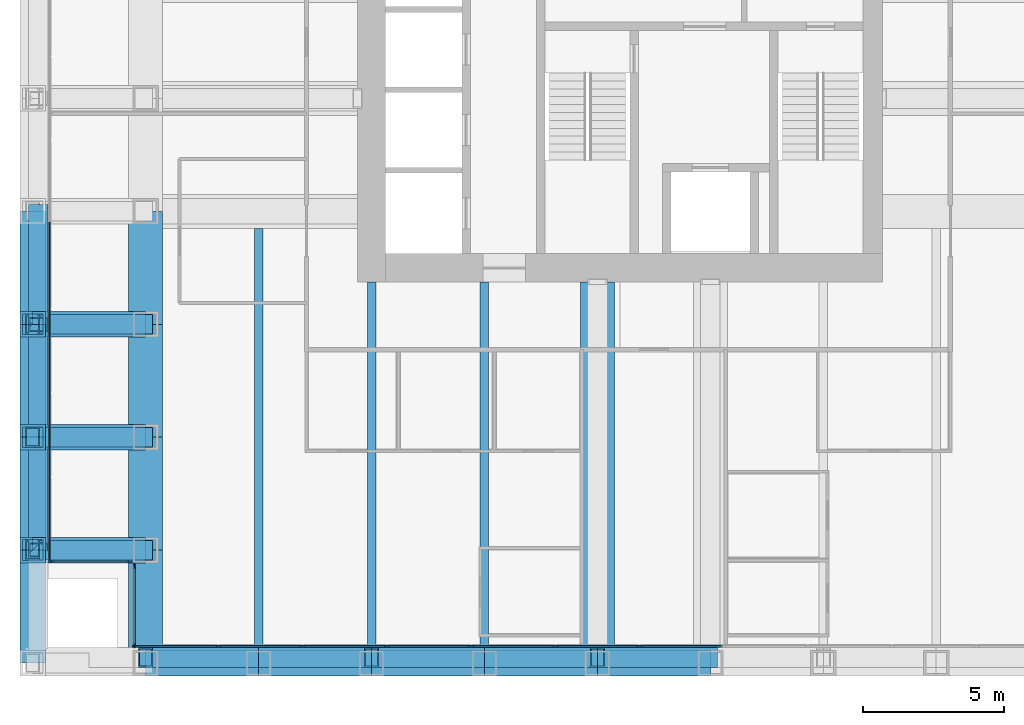
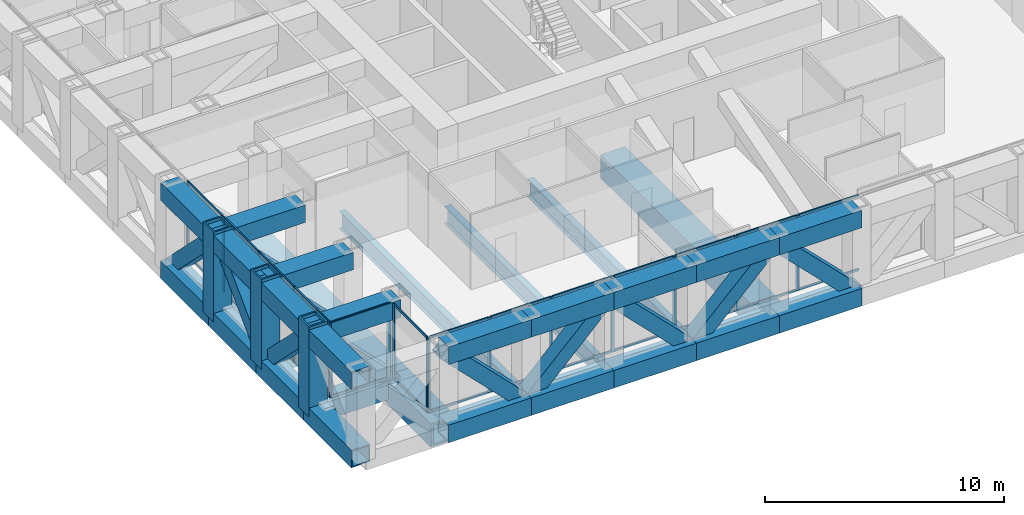
# One storey, part 2 of 14: 56 members, 32 beams, 4 elements without a shape of their own.
"""IFC4 building model written with IfcOpenShell, lengths in metres."""

from ifc_helpers import new_model, si_unit, direction, frame, origin, origin_2d, place, context, subcontext, project, spatial, rectangle, hollow_rectangle, i_section, extrude, material, material_profile, profile_set, type_object, element, aggregate, save


model = new_model("IFC4")

# Units and contexts
model_context = context("Model", 3, precision=1e-05, world=origin(), true_north=direction((0.0, 1.0)))
body_context = subcontext(model_context, "Body", "Model", "MODEL_VIEW")
ifc_project = project(units=[si_unit("LENGTHUNIT", "METRE"), si_unit("AREAUNIT", "SQUARE_METRE"), si_unit("VOLUMEUNIT", "CUBIC_METRE"), si_unit("PLANEANGLEUNIT", "RADIAN"), si_unit("MASSUNIT", "GRAM", prefix="KILO")], contexts=[model_context])

# Site, building, storey
site_placement = place(None, origin())
site = spatial("IfcSite", under=ifc_project, at=site_placement, CompositionType="ELEMENT")
building_placement = place(site_placement, origin())
building = spatial("IfcBuilding", under=site, at=building_placement, Name="Rimbunsela Tower", CompositionType="ELEMENT")
storey_placement = place(building_placement, frame((0.0, 0.0, 270.199951171875)))
storey = spatial("IfcBuildingStorey", under=building, at=storey_placement, Name="L65", CompositionType="ELEMENT", Elevation=270.199951171875)

# Beams
ifc_material_1 = material(Name="Steel BJ 55 (fy 410 MPa)", Category="steel")
ifc_material_profile_1 = material_profile(ifc_material_1, hollow_rectangle(XDim=1.199951171875, YDim=1.199951171875, WallThickness=0.10009765625, at=origin_2d()), Name="BOX 1200x1200x100")
ifc_profile_set_1 = profile_set([ifc_material_profile_1], Name="Steel BJ 55 (fy 410 MPa)")
beam_type_1 = type_object("IfcBeamType", Name="Beam BOX 1200x1200x100", PredefinedType="BEAM", material=ifc_profile_set_1)
beam_1_placement = place(storey_placement, frame((26.0, 4.0, -0.75), z_axis=(0.0, 1.0, 0.0), x_axis=(-1.0, 0.0, 0.0)))
element("IfcBeam", 1, at=beam_1_placement, inside=storey, type_object=beam_type_1, Name="Beam B5 L65", PredefinedType="BEAM", context=body_context, shape_type="SweptSolid", body=[
    extrude(hollow_rectangle(XDim=1.199951171875, YDim=1.199951171875, WallThickness=0.10009765625, at=origin_2d()), origin(), (0.0, 0.0, 1.0), 13.5),
])
ifc_material_2 = material(Name="Steel BJ 55 (fy 410 MPa)", Category="steel")
ifc_material_profile_2 = material_profile(ifc_material_2, hollow_rectangle(XDim=1.199951171875, YDim=1.199951171875, WallThickness=0.125, at=origin_2d()), Name="BOX 1200x1200x125")
ifc_profile_set_2 = profile_set([ifc_material_profile_2], Name="Steel BJ 55 (fy 410 MPa)")
beam_type_2 = type_object("IfcBeamType", Name="Beam BOX 1200x1200x125", PredefinedType="BEAM", material=ifc_profile_set_2)
for number, where, z_axis, x_axis, name in (
    (2, (10.0, 4.0, -0.75), (0.0, 1.0, 0.0), (-1.0, 0.0, 0.0), "Beam B4 L65"),
    (3, (10.0, 8.0, -0.75), (0.0, 1.0, 0.0), (-1.0, 0.0, 0.0), "Beam B4 L65"),
    (4, (10.0, 12.0, -0.75), (0.0, 1.0, 0.0), (-1.0, 0.0, 0.0), "Beam B4 L65"),
    (5, (10.0, 16.0, -0.75), (0.0, 1.0, 0.0), (-1.0, 0.0, 0.0), "Beam B4 L65"),
):
    element("IfcBeam", number, at=place(storey_placement, frame(where, z_axis=z_axis, x_axis=x_axis)), inside=storey, type_object=beam_type_2, Name=name, PredefinedType="BEAM", context=body_context, shape_type="SweptSolid", body=[
        extrude(hollow_rectangle(XDim=1.199951171875, YDim=1.199951171875, WallThickness=0.125, at=origin_2d()), origin(), (0.0, 0.0, 1.0), 4.0),
    ])
ifc_material_3 = material(Name="Steel BJ 55 (fy 410 MPa)", Category="steel")
ifc_material_profile_3 = material_profile(ifc_material_3, i_section(OverallWidth=0.300048828125, OverallDepth=0.89990234375, WebThickness=0.01611328125, FlangeThickness=0.028076171875, FilletRadius=0.028076171875, at=origin_2d()), Name="H 900x300x16x28")
ifc_profile_set_3 = profile_set([ifc_material_profile_3], Name="Steel BJ 55 (fy 410 MPa)")
beam_type_3 = type_object("IfcBeamType", Name="Beam H 900x300x16x28", PredefinedType="BEAM", material=ifc_profile_set_3)
beam_2_placement = place(storey_placement, frame((14.0, 4.0, -0.599853515625), z_axis=(0.0, 1.0, 0.0), x_axis=(-1.0, 0.0, 0.0)))
element("IfcBeam", 6, at=beam_2_placement, inside=storey, type_object=beam_type_3, Name="Beam B2 L65", PredefinedType="BEAM", context=body_context, shape_type="SweptSolid", body=[
    extrude(i_section(OverallWidth=0.300048828125, OverallDepth=0.89990234375, WebThickness=0.01611328125, FlangeThickness=0.028076171875, FilletRadius=0.028076171875, at=origin_2d()), origin(), (0.0, 0.0, 1.0), 15.39990234375),
])
for number, where, z_axis, x_axis, name in (
    (7, (18.0, 4.0, -0.599853515625), (0.0, 1.0, 0.0), (-1.0, 0.0, 0.0), "Beam B2 L65"),
    (8, (22.0, 4.0, -0.599853515625), (0.0, 1.0, 0.0), (-1.0, 0.0, 0.0), "Beam B2 L65"),
):
    element("IfcBeam", number, at=place(storey_placement, frame(where, z_axis=z_axis, x_axis=x_axis)), inside=storey, type_object=beam_type_3, Name=name, PredefinedType="BEAM", context=body_context, shape_type="SweptSolid", body=[
        extrude(i_section(OverallWidth=0.300048828125, OverallDepth=0.89990234375, WebThickness=0.01611328125, FlangeThickness=0.028076171875, FilletRadius=0.028076171875, at=origin_2d()), origin(), (0.0, 0.0, 1.0), 13.5),
    ])

# Curtain wall, members
ifc_material_4 = material(Name="Aluminium curtain wall", Category="aluminium")
curtain_wall_type_1 = type_object("IfcCurtainWallType", Name="Exoskeleton storey infill", PredefinedType="USERDEFINED", material=ifc_material_4)
curtain_wall_1_placement = place(storey_placement, origin())
curtain_wall_1 = element("IfcCurtainWall", 9, at=curtain_wall_1_placement, inside=storey, type_object=curtain_wall_type_1, Name="Exoskeleton storey infill L65", ObjectType="EXOSKELETON STOREY INFILL", PredefinedType="USERDEFINED")
ifc_material_5 = material(Name="Aluminium mullion", Category="aluminium")
ifc_material_profile_4 = material_profile(ifc_material_5, rectangle(XDim=0.06005859375, YDim=0.159912109375, at=origin_2d()), Name="Mullion 60x160")
ifc_profile_set_4 = profile_set([ifc_material_profile_4], Name="Aluminium mullion")
member_type_1 = type_object("IfcMemberType", Name="Curtain wall mullion 60x160", PredefinedType="MULLION", material=ifc_profile_set_4)
member_1_placement = place(storey_placement, frame((6.60009765625, 19.52734375, 0.0), z_axis=(0.0, 0.0, 1.0), x_axis=(1.0, 0.0, 0.0)))
member_1 = element("IfcMember", 10, at=member_1_placement, type_object=member_type_1, Name="CW2 mullion 8", PredefinedType="MULLION", context=body_context, shape_type="SweptSolid", body=[
    extrude(rectangle(XDim=0.06005859375, YDim=0.159912109375, at=origin_2d()), origin(), (0.0, 0.0, 1.0), 3.85009765625),
])
member_2_placement = place(storey_placement, frame((6.60009765625, 16.54541015625, 0.0), z_axis=(0.0, 0.0, 1.0), x_axis=(1.0, 0.0, 0.0)))
member_2 = element("IfcMember", 11, at=member_2_placement, type_object=member_type_1, Name="CW2 mullion 9", PredefinedType="MULLION", context=body_context, shape_type="SweptSolid", body=[
    extrude(rectangle(XDim=0.06005859375, YDim=0.159912109375, at=origin_2d()), origin(), (0.0, 0.0, 1.0), 3.85009765625),
])
member_3_placement = place(storey_placement, frame((6.60009765625, 13.563720703125, 0.0), z_axis=(0.0, 0.0, 1.0), x_axis=(1.0, 0.0, 0.0)))
member_3 = element("IfcMember", 12, at=member_3_placement, type_object=member_type_1, Name="CW2 mullion 10", PredefinedType="MULLION", context=body_context, shape_type="SweptSolid", body=[
    extrude(rectangle(XDim=0.06005859375, YDim=0.159912109375, at=origin_2d()), origin(), (0.0, 0.0, 1.0), 3.85009765625),
])
member_4_placement = place(storey_placement, frame((6.60009765625, 10.581787109375, 0.0), z_axis=(0.0, 0.0, 1.0), x_axis=(1.0, 0.0, 0.0)))
member_4 = element("IfcMember", 13, at=member_4_placement, type_object=member_type_1, Name="CW2 mullion 11", PredefinedType="MULLION", context=body_context, shape_type="SweptSolid", body=[
    extrude(rectangle(XDim=0.06005859375, YDim=0.159912109375, at=origin_2d()), origin(), (0.0, 0.0, 1.0), 3.85009765625),
])
member_5_placement = place(storey_placement, frame((6.60009765625, 7.6298828125, 0.0), z_axis=(0.0, 0.0, 1.0), x_axis=(1.0, 0.0, 0.0)))
member_5 = element("IfcMember", 14, at=member_5_placement, type_object=member_type_1, Name="CW2 mullion 12", PredefinedType="MULLION", context=body_context, shape_type="SweptSolid", body=[
    extrude(rectangle(XDim=0.06005859375, YDim=0.159912109375, at=origin_2d()), origin(), (0.0, 0.0, 1.0), 3.85009765625),
])

ifc_material_6 = material(Name="Aluminium curtain wall", Category="aluminium")
curtain_wall_type_2 = type_object("IfcCurtainWallType", Name="Spandrel wall", PredefinedType="USERDEFINED", material=ifc_material_6)
curtain_wall_2_placement = place(storey_placement, origin())
curtain_wall_2 = element("IfcCurtainWall", 15, at=curtain_wall_2_placement, inside=storey, type_object=curtain_wall_type_2, Name="Spandrel wall L65", ObjectType="SPANDREL WALL", PredefinedType="USERDEFINED")
member_6_placement = place(storey_placement, frame((6.6298828125, 7.60009765625, 0.0), z_axis=(0.0, 0.0, 1.0), x_axis=(0.0, 1.0, 0.0)))
member_6 = element("IfcMember", 16, at=member_6_placement, type_object=member_type_1, Name="CW7 mullion 1", PredefinedType="MULLION", context=body_context, shape_type="SweptSolid", body=[
    extrude(rectangle(XDim=0.06005859375, YDim=0.159912109375, at=origin_2d()), origin(), (0.0, 0.0, 1.0), 3.85009765625),
])
member_7_placement = place(storey_placement, frame((9.419921875, 7.60009765625, 0.0), z_axis=(0.0, 0.0, 1.0), x_axis=(0.0, 1.0, 0.0)))
member_7 = element("IfcMember", 17, at=member_7_placement, type_object=member_type_1, Name="CW7 mullion 2", PredefinedType="MULLION", context=body_context, shape_type="SweptSolid", body=[
    extrude(rectangle(XDim=0.06005859375, YDim=0.159912109375, at=origin_2d()), origin(), (0.0, 0.0, 1.0), 3.85009765625),
])

ifc_material_7 = material(Name="Aluminium curtain wall", Category="aluminium")
curtain_wall_type_3 = type_object("IfcCurtainWallType", Name="Corner glazing", PredefinedType="USERDEFINED", material=ifc_material_7)
curtain_wall_3_placement = place(storey_placement, origin())
curtain_wall_3 = element("IfcCurtainWall", 18, at=curtain_wall_3_placement, inside=storey, type_object=curtain_wall_type_3, Name="Corner glazing L65", ObjectType="CORNER GLAZING", PredefinedType="USERDEFINED")
member_8_placement = place(storey_placement, frame((9.60009765625, 7.419921875, 0.0), z_axis=(0.0, 0.0, 1.0), x_axis=(1.0, 0.0, 0.0)))
member_8 = element("IfcMember", 19, at=member_8_placement, type_object=member_type_1, Name="CW5 mullion 1", PredefinedType="MULLION", context=body_context, shape_type="SweptSolid", body=[
    extrude(rectangle(XDim=0.06005859375, YDim=0.159912109375, at=origin_2d()), origin(), (0.0, 0.0, 1.0), 3.85009765625),
])
member_9_placement = place(storey_placement, frame((9.60009765625, 4.6298828125, 0.0), z_axis=(0.0, 0.0, 1.0), x_axis=(1.0, 0.0, 0.0)))
member_9 = element("IfcMember", 20, at=member_9_placement, type_object=member_type_1, Name="CW5 mullion 2", PredefinedType="MULLION", context=body_context, shape_type="SweptSolid", body=[
    extrude(rectangle(XDim=0.06005859375, YDim=0.159912109375, at=origin_2d()), origin(), (0.0, 0.0, 1.0), 3.85009765625),
])

curtain_wall_4_placement = place(storey_placement, origin())
curtain_wall_4 = element("IfcCurtainWall", 21, at=curtain_wall_4_placement, inside=storey, type_object=curtain_wall_type_1, Name="Exoskeleton storey infill L65", ObjectType="EXOSKELETON STOREY INFILL", PredefinedType="USERDEFINED")
member_10_placement = place(storey_placement, frame((9.6298828125, 4.60009765625, 0.0), z_axis=(0.0, 0.0, 1.0), x_axis=(0.0, 1.0, 0.0)))
member_10 = element("IfcMember", 22, at=member_10_placement, type_object=member_type_1, Name="CW2 mullion 1", PredefinedType="MULLION", context=body_context, shape_type="SweptSolid", body=[
    extrude(rectangle(XDim=0.06005859375, YDim=0.159912109375, at=origin_2d()), origin(), (0.0, 0.0, 1.0), 3.85009765625),
])
member_11_placement = place(storey_placement, frame((12.581787109375, 4.60009765625, 0.0), z_axis=(0.0, 0.0, 1.0), x_axis=(0.0, 1.0, 0.0)))
member_11 = element("IfcMember", 23, at=member_11_placement, type_object=member_type_1, Name="CW2 mullion 2", PredefinedType="MULLION", context=body_context, shape_type="SweptSolid", body=[
    extrude(rectangle(XDim=0.06005859375, YDim=0.159912109375, at=origin_2d()), origin(), (0.0, 0.0, 1.0), 3.85009765625),
])
member_12_placement = place(storey_placement, frame((15.563720703125, 4.60009765625, 0.0), z_axis=(0.0, 0.0, 1.0), x_axis=(0.0, 1.0, 0.0)))
member_12 = element("IfcMember", 24, at=member_12_placement, type_object=member_type_1, Name="CW2 mullion 3", PredefinedType="MULLION", context=body_context, shape_type="SweptSolid", body=[
    extrude(rectangle(XDim=0.06005859375, YDim=0.159912109375, at=origin_2d()), origin(), (0.0, 0.0, 1.0), 3.85009765625),
])
member_13_placement = place(storey_placement, frame((18.54541015625, 4.60009765625, 0.0), z_axis=(0.0, 0.0, 1.0), x_axis=(0.0, 1.0, 0.0)))
member_13 = element("IfcMember", 25, at=member_13_placement, type_object=member_type_1, Name="CW2 mullion 4", PredefinedType="MULLION", context=body_context, shape_type="SweptSolid", body=[
    extrude(rectangle(XDim=0.06005859375, YDim=0.159912109375, at=origin_2d()), origin(), (0.0, 0.0, 1.0), 3.85009765625),
])
member_14_placement = place(storey_placement, frame((21.52734375, 4.60009765625, 0.0), z_axis=(0.0, 0.0, 1.0), x_axis=(0.0, 1.0, 0.0)))
member_14 = element("IfcMember", 26, at=member_14_placement, type_object=member_type_1, Name="CW2 mullion 5", PredefinedType="MULLION", context=body_context, shape_type="SweptSolid", body=[
    extrude(rectangle(XDim=0.06005859375, YDim=0.159912109375, at=origin_2d()), origin(), (0.0, 0.0, 1.0), 3.85009765625),
])
member_15_placement = place(storey_placement, frame((24.509033203125, 4.60009765625, 0.0), z_axis=(0.0, 0.0, 1.0), x_axis=(0.0, 1.0, 0.0)))
member_15 = element("IfcMember", 27, at=member_15_placement, type_object=member_type_1, Name="CW2 mullion 6", PredefinedType="MULLION", context=body_context, shape_type="SweptSolid", body=[
    extrude(rectangle(XDim=0.06005859375, YDim=0.159912109375, at=origin_2d()), origin(), (0.0, 0.0, 1.0), 3.85009765625),
])
member_16_placement = place(storey_placement, frame((27.490966796875, 4.60009765625, 0.0), z_axis=(0.0, 0.0, 1.0), x_axis=(0.0, 1.0, 0.0)))
member_16 = element("IfcMember", 28, at=member_16_placement, type_object=member_type_1, Name="CW2 mullion 7", PredefinedType="MULLION", context=body_context, shape_type="SweptSolid", body=[
    extrude(rectangle(XDim=0.06005859375, YDim=0.159912109375, at=origin_2d()), origin(), (0.0, 0.0, 1.0), 3.85009765625),
])

# Member
ifc_material_8 = material(Name="Aluminium transom", Category="aluminium")
ifc_material_profile_5 = material_profile(ifc_material_8, rectangle(XDim=0.06005859375, YDim=0.1201171875, at=origin_2d()), Name="Transom 60x120")
ifc_profile_set_5 = profile_set([ifc_material_profile_5], Name="Aluminium transom")
member_type_2 = type_object("IfcMemberType", Name="Curtain wall transom 60x120", PredefinedType="USERDEFINED", material=ifc_profile_set_5)
member_17_placement = place(storey_placement, frame((6.60009765625, 19.497314453125, 0.030029296875), z_axis=(0.0, -1.0, 0.0), x_axis=(1.0, 0.0, 0.0)))
member_17 = element("IfcMember", 29, at=member_17_placement, type_object=member_type_2, Name="CW2 transom 8.1", ObjectType="TRANSOM", PredefinedType="USERDEFINED", context=body_context, shape_type="SweptSolid", body=[
    extrude(rectangle(XDim=0.06005859375, YDim=0.1201171875, at=origin_2d()), origin(), (0.0, 0.0, 1.0), 2.921875),
])

member_18_placement = place(storey_placement, frame((6.60009765625, 19.497314453125, 3.820068359375), z_axis=(0.0, -1.0, 0.0), x_axis=(1.0, 0.0, 0.0)))
member_18 = element("IfcMember", 30, at=member_18_placement, type_object=member_type_2, Name="CW2 transom 8.2", ObjectType="TRANSOM", PredefinedType="USERDEFINED", context=body_context, shape_type="SweptSolid", body=[
    extrude(rectangle(XDim=0.06005859375, YDim=0.1201171875, at=origin_2d()), origin(), (0.0, 0.0, 1.0), 2.921875),
])

member_19_placement = place(storey_placement, frame((6.60009765625, 16.515380859375, 0.030029296875), z_axis=(0.0, -1.0, 0.0), x_axis=(1.0, 0.0, 0.0)))
member_19 = element("IfcMember", 31, at=member_19_placement, type_object=member_type_2, Name="CW2 transom 9.1", ObjectType="TRANSOM", PredefinedType="USERDEFINED", context=body_context, shape_type="SweptSolid", body=[
    extrude(rectangle(XDim=0.06005859375, YDim=0.1201171875, at=origin_2d()), origin(), (0.0, 0.0, 1.0), 2.921630859375),
])

member_20_placement = place(storey_placement, frame((6.60009765625, 16.515380859375, 3.820068359375), z_axis=(0.0, -1.0, 0.0), x_axis=(1.0, 0.0, 0.0)))
member_20 = element("IfcMember", 32, at=member_20_placement, type_object=member_type_2, Name="CW2 transom 9.2", ObjectType="TRANSOM", PredefinedType="USERDEFINED", context=body_context, shape_type="SweptSolid", body=[
    extrude(rectangle(XDim=0.06005859375, YDim=0.1201171875, at=origin_2d()), origin(), (0.0, 0.0, 1.0), 2.921630859375),
])

member_21_placement = place(storey_placement, frame((6.60009765625, 13.53369140625, 0.030029296875), z_axis=(0.0, -1.0, 0.0), x_axis=(1.0, 0.0, 0.0)))
member_21 = element("IfcMember", 33, at=member_21_placement, type_object=member_type_2, Name="CW2 transom 10.1", ObjectType="TRANSOM", PredefinedType="USERDEFINED", context=body_context, shape_type="SweptSolid", body=[
    extrude(rectangle(XDim=0.06005859375, YDim=0.1201171875, at=origin_2d()), origin(), (0.0, 0.0, 1.0), 2.921875),
])

member_22_placement = place(storey_placement, frame((6.60009765625, 13.53369140625, 3.820068359375), z_axis=(0.0, -1.0, 0.0), x_axis=(1.0, 0.0, 0.0)))
member_22 = element("IfcMember", 34, at=member_22_placement, type_object=member_type_2, Name="CW2 transom 10.2", ObjectType="TRANSOM", PredefinedType="USERDEFINED", context=body_context, shape_type="SweptSolid", body=[
    extrude(rectangle(XDim=0.06005859375, YDim=0.1201171875, at=origin_2d()), origin(), (0.0, 0.0, 1.0), 2.921875),
])

member_23_placement = place(storey_placement, frame((6.60009765625, 10.5517578125, 0.030029296875), z_axis=(0.0, -1.0, 0.0), x_axis=(1.0, 0.0, 0.0)))
member_23 = element("IfcMember", 35, at=member_23_placement, type_object=member_type_2, Name="CW2 transom 11.1", ObjectType="TRANSOM", PredefinedType="USERDEFINED", context=body_context, shape_type="SweptSolid", body=[
    extrude(rectangle(XDim=0.06005859375, YDim=0.1201171875, at=origin_2d()), origin(), (0.0, 0.0, 1.0), 2.891845703125),
])

member_24_placement = place(storey_placement, frame((6.60009765625, 10.5517578125, 3.820068359375), z_axis=(0.0, -1.0, 0.0), x_axis=(1.0, 0.0, 0.0)))
member_24 = element("IfcMember", 36, at=member_24_placement, type_object=member_type_2, Name="CW2 transom 11.2", ObjectType="TRANSOM", PredefinedType="USERDEFINED", context=body_context, shape_type="SweptSolid", body=[
    extrude(rectangle(XDim=0.06005859375, YDim=0.1201171875, at=origin_2d()), origin(), (0.0, 0.0, 1.0), 2.891845703125),
])

aggregate(curtain_wall_1, [member_1, member_2, member_3, member_4, member_5, member_17, member_18, member_19, member_20, member_21, member_22, member_23, member_24])

member_25_placement = place(storey_placement, frame((6.659912109375, 7.60009765625, 0.030029296875), z_axis=(1.0, 0.0, 0.0), x_axis=(0.0, 1.0, 0.0)))
member_25 = element("IfcMember", 37, at=member_25_placement, type_object=member_type_2, Name="CW7 transom 1.1", ObjectType="TRANSOM", PredefinedType="USERDEFINED", context=body_context, shape_type="SweptSolid", body=[
    extrude(rectangle(XDim=0.06005859375, YDim=0.1201171875, at=origin_2d()), origin(), (0.0, 0.0, 1.0), 2.72998046875),
])

member_26_placement = place(storey_placement, frame((6.659912109375, 7.60009765625, 3.820068359375), z_axis=(1.0, 0.0, 0.0), x_axis=(0.0, 1.0, 0.0)))
member_26 = element("IfcMember", 38, at=member_26_placement, type_object=member_type_2, Name="CW7 transom 1.2", ObjectType="TRANSOM", PredefinedType="USERDEFINED", context=body_context, shape_type="SweptSolid", body=[
    extrude(rectangle(XDim=0.06005859375, YDim=0.1201171875, at=origin_2d()), origin(), (0.0, 0.0, 1.0), 2.72998046875),
])

aggregate(curtain_wall_2, [member_6, member_7, member_25, member_26])

member_27_placement = place(storey_placement, frame((9.60009765625, 7.389892578125, 0.030029296875), z_axis=(0.0, -1.0, 0.0), x_axis=(1.0, 0.0, 0.0)))
member_27 = element("IfcMember", 39, at=member_27_placement, type_object=member_type_2, Name="CW5 transom 1.1", ObjectType="TRANSOM", PredefinedType="USERDEFINED", context=body_context, shape_type="SweptSolid", body=[
    extrude(rectangle(XDim=0.06005859375, YDim=0.1201171875, at=origin_2d()), origin(), (0.0, 0.0, 1.0), 2.72998046875),
])

member_28_placement = place(storey_placement, frame((9.60009765625, 7.389892578125, 3.820068359375), z_axis=(0.0, -1.0, 0.0), x_axis=(1.0, 0.0, 0.0)))
member_28 = element("IfcMember", 40, at=member_28_placement, type_object=member_type_2, Name="CW5 transom 1.2", ObjectType="TRANSOM", PredefinedType="USERDEFINED", context=body_context, shape_type="SweptSolid", body=[
    extrude(rectangle(XDim=0.06005859375, YDim=0.1201171875, at=origin_2d()), origin(), (0.0, 0.0, 1.0), 2.72998046875),
])

aggregate(curtain_wall_3, [member_8, member_9, member_27, member_28])

member_29_placement = place(storey_placement, frame((9.659912109375, 4.60009765625, 0.030029296875), z_axis=(1.0, 0.0, 0.0), x_axis=(0.0, 1.0, 0.0)))
member_29 = element("IfcMember", 41, at=member_29_placement, type_object=member_type_2, Name="CW2 transom 1.1", ObjectType="TRANSOM", PredefinedType="USERDEFINED", context=body_context, shape_type="SweptSolid", body=[
    extrude(rectangle(XDim=0.06005859375, YDim=0.1201171875, at=origin_2d()), origin(), (0.0, 0.0, 1.0), 2.891845703125),
])

member_30_placement = place(storey_placement, frame((9.659912109375, 4.60009765625, 3.820068359375), z_axis=(1.0, 0.0, 0.0), x_axis=(0.0, 1.0, 0.0)))
member_30 = element("IfcMember", 42, at=member_30_placement, type_object=member_type_2, Name="CW2 transom 1.2", ObjectType="TRANSOM", PredefinedType="USERDEFINED", context=body_context, shape_type="SweptSolid", body=[
    extrude(rectangle(XDim=0.06005859375, YDim=0.1201171875, at=origin_2d()), origin(), (0.0, 0.0, 1.0), 2.891845703125),
])

member_31_placement = place(storey_placement, frame((12.61181640625, 4.60009765625, 0.030029296875), z_axis=(1.0, 0.0, 0.0), x_axis=(0.0, 1.0, 0.0)))
member_31 = element("IfcMember", 43, at=member_31_placement, type_object=member_type_2, Name="CW2 transom 2.1", ObjectType="TRANSOM", PredefinedType="USERDEFINED", context=body_context, shape_type="SweptSolid", body=[
    extrude(rectangle(XDim=0.06005859375, YDim=0.1201171875, at=origin_2d()), origin(), (0.0, 0.0, 1.0), 2.921875),
])

member_32_placement = place(storey_placement, frame((12.61181640625, 4.60009765625, 3.820068359375), z_axis=(1.0, 0.0, 0.0), x_axis=(0.0, 1.0, 0.0)))
member_32 = element("IfcMember", 44, at=member_32_placement, type_object=member_type_2, Name="CW2 transom 2.2", ObjectType="TRANSOM", PredefinedType="USERDEFINED", context=body_context, shape_type="SweptSolid", body=[
    extrude(rectangle(XDim=0.06005859375, YDim=0.1201171875, at=origin_2d()), origin(), (0.0, 0.0, 1.0), 2.921875),
])

member_33_placement = place(storey_placement, frame((15.59375, 4.60009765625, 0.030029296875), z_axis=(1.0, 0.0, 0.0), x_axis=(0.0, 1.0, 0.0)))
member_33 = element("IfcMember", 45, at=member_33_placement, type_object=member_type_2, Name="CW2 transom 3.1", ObjectType="TRANSOM", PredefinedType="USERDEFINED", context=body_context, shape_type="SweptSolid", body=[
    extrude(rectangle(XDim=0.06005859375, YDim=0.1201171875, at=origin_2d()), origin(), (0.0, 0.0, 1.0), 2.921630859375),
])

member_34_placement = place(storey_placement, frame((15.59375, 4.60009765625, 3.820068359375), z_axis=(1.0, 0.0, 0.0), x_axis=(0.0, 1.0, 0.0)))
member_34 = element("IfcMember", 46, at=member_34_placement, type_object=member_type_2, Name="CW2 transom 3.2", ObjectType="TRANSOM", PredefinedType="USERDEFINED", context=body_context, shape_type="SweptSolid", body=[
    extrude(rectangle(XDim=0.06005859375, YDim=0.1201171875, at=origin_2d()), origin(), (0.0, 0.0, 1.0), 2.921630859375),
])

member_35_placement = place(storey_placement, frame((18.575439453125, 4.60009765625, 0.030029296875), z_axis=(1.0, 0.0, 0.0), x_axis=(0.0, 1.0, 0.0)))
member_35 = element("IfcMember", 47, at=member_35_placement, type_object=member_type_2, Name="CW2 transom 4.1", ObjectType="TRANSOM", PredefinedType="USERDEFINED", context=body_context, shape_type="SweptSolid", body=[
    extrude(rectangle(XDim=0.06005859375, YDim=0.1201171875, at=origin_2d()), origin(), (0.0, 0.0, 1.0), 2.921875),
])

member_36_placement = place(storey_placement, frame((18.575439453125, 4.60009765625, 3.820068359375), z_axis=(1.0, 0.0, 0.0), x_axis=(0.0, 1.0, 0.0)))
member_36 = element("IfcMember", 48, at=member_36_placement, type_object=member_type_2, Name="CW2 transom 4.2", ObjectType="TRANSOM", PredefinedType="USERDEFINED", context=body_context, shape_type="SweptSolid", body=[
    extrude(rectangle(XDim=0.06005859375, YDim=0.1201171875, at=origin_2d()), origin(), (0.0, 0.0, 1.0), 2.921875),
])

member_37_placement = place(storey_placement, frame((21.557373046875, 4.60009765625, 0.030029296875), z_axis=(1.0, 0.0, 0.0), x_axis=(0.0, 1.0, 0.0)))
member_37 = element("IfcMember", 49, at=member_37_placement, type_object=member_type_2, Name="CW2 transom 5.1", ObjectType="TRANSOM", PredefinedType="USERDEFINED", context=body_context, shape_type="SweptSolid", body=[
    extrude(rectangle(XDim=0.06005859375, YDim=0.1201171875, at=origin_2d()), origin(), (0.0, 0.0, 1.0), 2.921630859375),
])

member_38_placement = place(storey_placement, frame((21.557373046875, 4.60009765625, 3.820068359375), z_axis=(1.0, 0.0, 0.0), x_axis=(0.0, 1.0, 0.0)))
member_38 = element("IfcMember", 50, at=member_38_placement, type_object=member_type_2, Name="CW2 transom 5.2", ObjectType="TRANSOM", PredefinedType="USERDEFINED", context=body_context, shape_type="SweptSolid", body=[
    extrude(rectangle(XDim=0.06005859375, YDim=0.1201171875, at=origin_2d()), origin(), (0.0, 0.0, 1.0), 2.921630859375),
])

member_39_placement = place(storey_placement, frame((24.5390625, 4.60009765625, 0.030029296875), z_axis=(1.0, 0.0, 0.0), x_axis=(0.0, 1.0, 0.0)))
member_39 = element("IfcMember", 51, at=member_39_placement, type_object=member_type_2, Name="CW2 transom 6.1", ObjectType="TRANSOM", PredefinedType="USERDEFINED", context=body_context, shape_type="SweptSolid", body=[
    extrude(rectangle(XDim=0.06005859375, YDim=0.1201171875, at=origin_2d()), origin(), (0.0, 0.0, 1.0), 2.921875),
])

member_40_placement = place(storey_placement, frame((24.5390625, 4.60009765625, 3.820068359375), z_axis=(1.0, 0.0, 0.0), x_axis=(0.0, 1.0, 0.0)))
member_40 = element("IfcMember", 52, at=member_40_placement, type_object=member_type_2, Name="CW2 transom 6.2", ObjectType="TRANSOM", PredefinedType="USERDEFINED", context=body_context, shape_type="SweptSolid", body=[
    extrude(rectangle(XDim=0.06005859375, YDim=0.1201171875, at=origin_2d()), origin(), (0.0, 0.0, 1.0), 2.921875),
])

member_41_placement = place(storey_placement, frame((27.52099609375, 4.60009765625, 0.030029296875), z_axis=(1.0, 0.0, 0.0), x_axis=(0.0, 1.0, 0.0)))
member_41 = element("IfcMember", 53, at=member_41_placement, type_object=member_type_2, Name="CW2 transom 7.1", ObjectType="TRANSOM", PredefinedType="USERDEFINED", context=body_context, shape_type="SweptSolid", body=[
    extrude(rectangle(XDim=0.06005859375, YDim=0.1201171875, at=origin_2d()), origin(), (0.0, 0.0, 1.0), 2.921630859375),
])

member_42_placement = place(storey_placement, frame((27.52099609375, 4.60009765625, 3.820068359375), z_axis=(1.0, 0.0, 0.0), x_axis=(0.0, 1.0, 0.0)))
member_42 = element("IfcMember", 54, at=member_42_placement, type_object=member_type_2, Name="CW2 transom 7.2", ObjectType="TRANSOM", PredefinedType="USERDEFINED", context=body_context, shape_type="SweptSolid", body=[
    extrude(rectangle(XDim=0.06005859375, YDim=0.1201171875, at=origin_2d()), origin(), (0.0, 0.0, 1.0), 2.921630859375),
])

aggregate(curtain_wall_4, [member_10, member_11, member_12, member_13, member_14, member_15, member_16, member_29, member_30, member_31, member_32, member_33, member_34, member_35, member_36, member_37, member_38, member_39, member_40, member_41, member_42])

# Beams
ifc_material_9 = material(Name="Steel BJ 55 (fy 410 MPa)", Category="steel")
ifc_material_profile_6 = material_profile(ifc_material_9, hollow_rectangle(XDim=0.89990234375, YDim=0.89990234375, WallThickness=0.06005859375, at=origin_2d()), Name="BOX 900x900x60")
ifc_profile_set_6 = profile_set([ifc_material_profile_6], Name="Steel BJ 55 (fy 410 MPa)")
beam_type_4 = type_object("IfcBeamType", Name="Truss chord BOX 900x900x60", PredefinedType="USERDEFINED", material=ifc_profile_set_6)
for number, where, z_axis, x_axis, name in (
    (55, (10.0, 4.0, 3.400146484375), (1.0, 0.0, 0.0), (0.0, 1.0, 0.0), "Truss top chord TC4 S face L65"),
    (56, (14.0, 4.0, 3.400146484375), (1.0, 0.0, 0.0), (0.0, 1.0, 0.0), "Truss top chord TC4 S face L65"),
    (57, (18.0, 4.0, 3.400146484375), (1.0, 0.0, 0.0), (0.0, 1.0, 0.0), "Truss top chord TC4 S face L65"),
    (58, (22.0, 4.0, 3.400146484375), (1.0, 0.0, 0.0), (0.0, 1.0, 0.0), "Truss top chord TC4 S face L65"),
    (59, (26.0, 4.0, 3.400146484375), (1.0, 0.0, 0.0), (0.0, 1.0, 0.0), "Truss top chord TC4 S face L65"),
    (60, (6.0, 4.0, 3.400146484375), (0.0, 1.0, 0.0), (-1.0, 0.0, 0.0), "Truss top chord TC4 W face L65"),
    (61, (6.0, 8.0, 3.400146484375), (0.0, 1.0, 0.0), (-1.0, 0.0, 0.0), "Truss top chord TC4 W face L65"),
    (62, (6.0, 12.0, 3.400146484375), (0.0, 1.0, 0.0), (-1.0, 0.0, 0.0), "Truss top chord TC4 W face L65"),
    (63, (6.0, 16.0, 3.400146484375), (0.0, 1.0, 0.0), (-1.0, 0.0, 0.0), "Truss top chord TC4 W face L65"),
    (64, (10.0, 4.0, -0.599853515625), (1.0, 0.0, 0.0), (0.0, 1.0, 0.0), "Truss bottom chord TC4 S face L65"),
    (65, (14.0, 4.0, -0.599853515625), (1.0, 0.0, 0.0), (0.0, 1.0, 0.0), "Truss bottom chord TC4 S face L65"),
    (66, (18.0, 4.0, -0.599853515625), (1.0, 0.0, 0.0), (0.0, 1.0, 0.0), "Truss bottom chord TC4 S face L65"),
    (67, (22.0, 4.0, -0.599853515625), (1.0, 0.0, 0.0), (0.0, 1.0, 0.0), "Truss bottom chord TC4 S face L65"),
    (68, (26.0, 4.0, -0.599853515625), (1.0, 0.0, 0.0), (0.0, 1.0, 0.0), "Truss bottom chord TC4 S face L65"),
    (69, (10.0, 8.0, -0.599853515625), (-1.0, 0.0, 0.0), (0.0, -1.0, 0.0), "Cantilever truss bottom chord TC4 4/D L65"),
    (70, (10.0, 8.0, 3.400146484375), (-1.0, 0.0, 0.0), (0.0, -1.0, 0.0), "Cantilever truss top chord TC4 4/D L65"),
    (71, (10.0, 12.0, -0.599853515625), (-1.0, 0.0, 0.0), (0.0, -1.0, 0.0), "Cantilever truss bottom chord TC4 4/E L65"),
    (72, (10.0, 12.0, 3.400146484375), (-1.0, 0.0, 0.0), (0.0, -1.0, 0.0), "Cantilever truss top chord TC4 4/E L65"),
    (73, (10.0, 16.0, -0.599853515625), (-1.0, 0.0, 0.0), (0.0, -1.0, 0.0), "Cantilever truss bottom chord TC4 4/F L65"),
    (74, (10.0, 16.0, 3.400146484375), (-1.0, 0.0, 0.0), (0.0, -1.0, 0.0), "Cantilever truss top chord TC4 4/F L65"),
    (75, (6.0, 4.0, -0.599853515625), (0.0, 1.0, 0.0), (-1.0, 0.0, 0.0), "Truss bottom chord TC4 W face L65"),
    (76, (6.0, 8.0, -0.599853515625), (0.0, 1.0, 0.0), (-1.0, 0.0, 0.0), "Truss bottom chord TC4 W face L65"),
    (77, (6.0, 12.0, -0.599853515625), (0.0, 1.0, 0.0), (-1.0, 0.0, 0.0), "Truss bottom chord TC4 W face L65"),
    (78, (6.0, 16.0, -0.599853515625), (0.0, 1.0, 0.0), (-1.0, 0.0, 0.0), "Truss bottom chord TC4 W face L65"),
):
    element("IfcBeam", number, at=place(storey_placement, frame(where, z_axis=z_axis, x_axis=x_axis)), inside=storey, type_object=beam_type_4, Name=name, ObjectType="TRUSS CHORD", PredefinedType="USERDEFINED", context=body_context, shape_type="SweptSolid", body=[
        extrude(hollow_rectangle(XDim=0.89990234375, YDim=0.89990234375, WallThickness=0.06005859375, at=origin_2d()), origin(), (0.0, 0.0, 1.0), 4.0),
    ])

# Members
ifc_material_10 = material(Name="Steel BJ 55 (fy 410 MPa)", Category="steel")
ifc_material_profile_7 = material_profile(ifc_material_10, hollow_rectangle(XDim=0.699951171875, YDim=0.699951171875, WallThickness=0.050048828125, at=origin_2d()), Name="BOX 700x700x50")
ifc_profile_set_7 = profile_set([ifc_material_profile_7], Name="Steel BJ 55 (fy 410 MPa)")
member_type_3 = type_object("IfcMemberType", Name="Truss diagonal BOX 700x700x50", PredefinedType="BRACE", material=ifc_profile_set_7)
for number, where, z_axis, x_axis, name in (
    (79, (10.0, 4.199951171875, 3.400146484375), (0.707106781187, 0.0, -0.707106781187), (0.0, 1.0, 0.0), "Truss diagonal TD4 S face L65"),
    (80, (14.0, 4.199951171875, -0.599853515625), (0.707106781187, 0.0, 0.707106781187), (0.0, 1.0, 0.0), "Truss diagonal TD4 S face L65"),
    (81, (18.0, 4.199951171875, 3.400146484375), (0.707106781187, 0.0, -0.707106781187), (0.0, 1.0, 0.0), "Truss diagonal TD4 S face L65"),
    (82, (22.0, 4.199951171875, -0.599853515625), (0.707106781187, 0.0, 0.707106781187), (0.0, 1.0, 0.0), "Truss diagonal TD4 S face L65"),
    (83, (26.0, 4.199951171875, 3.400146484375), (0.707106781187, 0.0, -0.707106781187), (0.0, 1.0, 0.0), "Truss diagonal TD4 S face L65"),
    (84, (6.199951171875, 8.0, 3.400146484375), (0.0, 0.707106781187, -0.707106781187), (-1.0, 0.0, 0.0), "Truss diagonal TD4 W face L65"),
    (85, (6.199951171875, 12.0, -0.599853515625), (0.0, 0.707106781187, 0.707106781187), (-1.0, 0.0, 0.0), "Truss diagonal TD4 W face L65"),
    (86, (6.199951171875, 16.0, 3.400146484375), (0.0, 0.707106781187, -0.707106781187), (-1.0, 0.0, 0.0), "Truss diagonal TD4 W face L65"),
    (87, (10.0, 8.0, -0.599853515625), (-0.707106781187, 0.0, 0.707106781187), (0.0, -1.0, 0.0), "Cantilever truss diagonal TD4 4/D L65"),
    (88, (10.0, 12.0, -0.599853515625), (-0.707106781187, 0.0, 0.707106781187), (0.0, -1.0, 0.0), "Cantilever truss diagonal TD4 4/E L65"),
    (89, (10.0, 16.0, -0.599853515625), (-0.707106781187, 0.0, 0.707106781187), (0.0, -1.0, 0.0), "Cantilever truss diagonal TD4 4/F L65"),
):
    element("IfcMember", number, at=place(storey_placement, frame(where, z_axis=z_axis, x_axis=x_axis)), inside=storey, type_object=member_type_3, Name=name, PredefinedType="BRACE", context=body_context, shape_type="SweptSolid", body=[
        extrude(hollow_rectangle(XDim=0.699951171875, YDim=0.699951171875, WallThickness=0.050048828125, at=origin_2d()), origin(), (0.0, 0.0, 1.0), 5.65673828125),
    ])
ifc_material_11 = material(Name="Steel BJ 55 (fy 410 MPa)", Category="steel")
ifc_material_profile_8 = material_profile(ifc_material_11, hollow_rectangle(XDim=0.89990234375, YDim=0.89990234375, WallThickness=0.080078125, at=origin_2d()), Name="BOX 900x900x80")
ifc_profile_set_8 = profile_set([ifc_material_profile_8], Name="Steel BJ 55 (fy 410 MPa)")
member_type_4 = type_object("IfcMemberType", Name="Truss post BOX 900x900x80", PredefinedType="POST", material=ifc_profile_set_8)
for number, where, z_axis, x_axis, name in (
    (90, (6.0, 8.0, -0.599853515625), (0.0, 0.0, 1.0), (1.0, 0.0, 0.0), "Truss post TP3 4/D L65"),
    (91, (6.0, 12.0, -0.599853515625), (0.0, 0.0, 1.0), (1.0, 0.0, 0.0), "Truss post TP3 4/E L65"),
    (92, (6.0, 16.0, -0.599853515625), (0.0, 0.0, 1.0), (1.0, 0.0, 0.0), "Truss post TP3 4/F L65"),
):
    element("IfcMember", number, at=place(storey_placement, frame(where, z_axis=z_axis, x_axis=x_axis)), inside=storey, type_object=member_type_4, Name=name, PredefinedType="POST", context=body_context, shape_type="SweptSolid", body=[
        extrude(hollow_rectangle(XDim=0.89990234375, YDim=0.89990234375, WallThickness=0.080078125, at=origin_2d()), origin(), (0.0, 0.0, 1.0), 4.599853515625),
    ])

save(model, "model.ifc")
